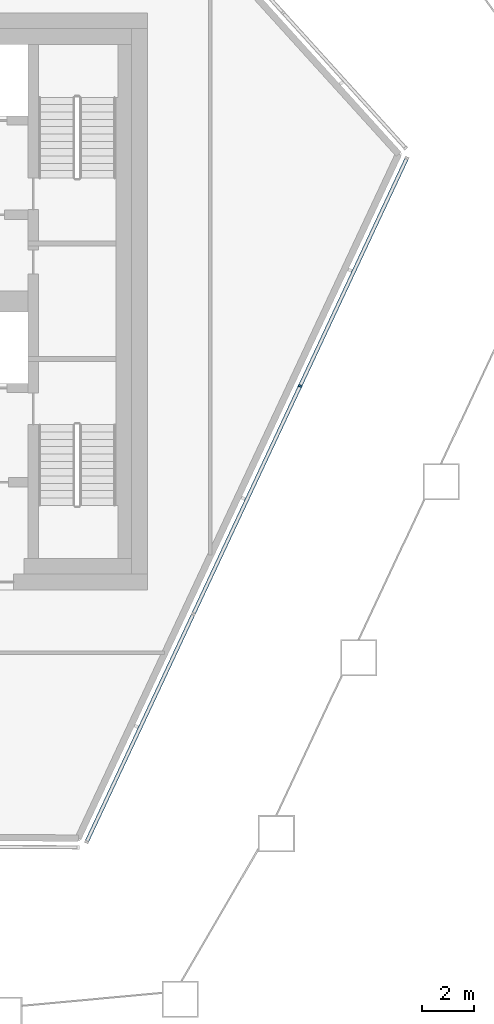
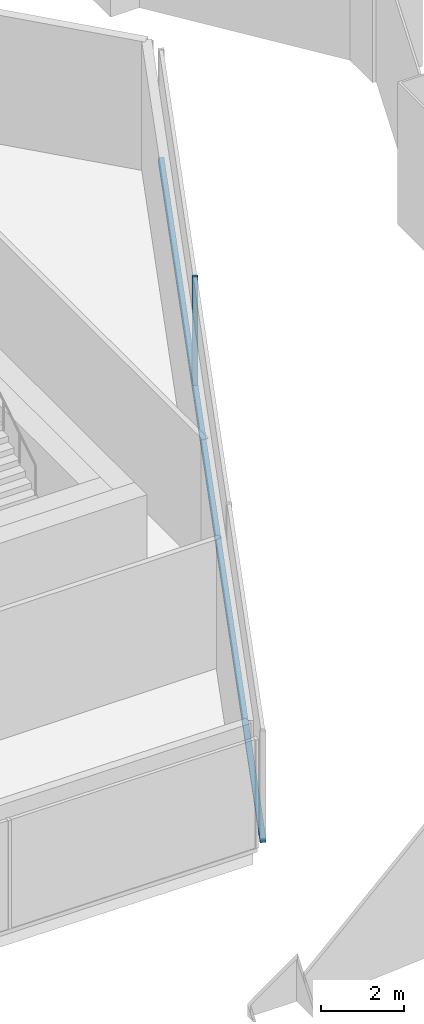
# One storey, part 4 of 18: 2 members, 1 element without a shape of its own.
"""IFC4 building model written with IfcOpenShell, lengths in metres."""

from ifc_helpers import new_model, si_unit, direction, frame, origin, origin_2d, place, context, subcontext, project, spatial, rectangle, extrude, material, layer, layer_set, material_profile, profile_set, type_object, element, aggregate, save


model = new_model("IFC4")

# Units and contexts
model_context = context("Model", 3, precision=1e-05, world=origin(), true_north=direction((0.0, 1.0)))
body_context = subcontext(model_context, "Body", "Model", "MODEL_VIEW")
ifc_project = project(units=[si_unit("LENGTHUNIT", "METRE"), si_unit("AREAUNIT", "SQUARE_METRE"), si_unit("VOLUMEUNIT", "CUBIC_METRE"), si_unit("PLANEANGLEUNIT", "RADIAN"), si_unit("MASSUNIT", "GRAM", prefix="KILO")], contexts=[model_context])

# Site, building, storey
site_placement = place(None, origin())
site = spatial("IfcSite", under=ifc_project, at=site_placement, CompositionType="ELEMENT")
building_placement = place(site_placement, origin())
building = spatial("IfcBuilding", under=site, at=building_placement, Name="Dongbaek Canopy Tower", CompositionType="ELEMENT")
storey_placement = place(building_placement, frame((0.0, 0.0, 359.0)))
storey = spatial("IfcBuildingStorey", under=building, at=storey_placement, Name="L77", CompositionType="ELEMENT", Elevation=359.0)

# Curtain wall, members
ifc_material_1 = material(Name="Aluminium 6063-T6 pale anodised", Category="aluminium")
ifc_layer = layer(ifc_material_1, 0.14990234375)
ifc_layer_set = layer_set([ifc_layer], Name="CW-7 louvre curtain wall")
curtain_wall_type = type_object("IfcCurtainWallType", Name="CW-7 louvre curtain wall", PredefinedType="NOTDEFINED", material=ifc_layer_set)
curtain_wall_placement = place(storey_placement, origin())
curtain_wall = element("IfcCurtainWall", 1, at=curtain_wall_placement, inside=storey, type_object=curtain_wall_type, Name="CW-7 louvre wall L77 F1", PredefinedType="NOTDEFINED")
ifc_material_2 = material(Name="Aluminium 6063-T6 pale anodised", Category="aluminium")
ifc_material_profile_1 = material_profile(ifc_material_2, rectangle(XDim=0.14990234375, YDim=0.080078125, at=origin_2d()), Name="CW-7 mullion 80 x 150")
ifc_profile_set_1 = profile_set([ifc_material_profile_1], Name="Aluminium 6063-T6 pale anodised")
member_type_1 = type_object("IfcMemberType", Name="CW-7 mullion 80 x 150", PredefinedType="MULLION", material=ifc_profile_set_1)
member_1_placement = place(storey_placement, frame((19.827880859375, -3.228759765625, 0.300048828125), z_axis=(0.0, 0.0, 1.0), x_axis=(0.905604659029, -0.42412286138, 0.0)))
member_1 = element("IfcMember", 2, at=member_1_placement, type_object=member_type_1, Name="CW-7 mullion L77 F1.1.3", PredefinedType="MULLION", context=body_context, shape_type="SweptSolid", body=[
    extrude(rectangle(XDim=0.14990234375, YDim=0.080078125, at=origin_2d()), origin(), (0.0, 0.0, 1.0), 3.199951171875),
])
ifc_material_3 = material(Name="Aluminium 6063-T6 pale anodised", Category="aluminium")
ifc_material_profile_2 = material_profile(ifc_material_3, rectangle(XDim=0.14990234375, YDim=0.1201171875, at=origin_2d()), Name="CW-7 transom 120 x 150")
ifc_profile_set_2 = profile_set([ifc_material_profile_2], Name="Aluminium 6063-T6 pale anodised")
member_type_2 = type_object("IfcMemberType", Name="CW-7 transom 120 x 150", PredefinedType="USERDEFINED", material=ifc_profile_set_2)
member_2_placement = place(storey_placement, frame((11.684326171875, -20.6171875, 0.239990234375), z_axis=(0.424125024155, 0.905603646131, 0.0), x_axis=(-0.905603646131, 0.424125024155, 0.0)))
member_2 = element("IfcMember", 3, at=member_2_placement, type_object=member_type_2, Name="CW-7 transom L77 F1.1", ObjectType="TRANSOM", PredefinedType="USERDEFINED", context=body_context, shape_type="SweptSolid", body=[
    extrude(rectangle(XDim=0.14990234375, YDim=0.1201171875, at=origin_2d()), origin(), (0.0, 0.0, 1.0), 28.80126953125),
])
aggregate(curtain_wall, [member_2, member_1])

save(model, "model.ifc")
